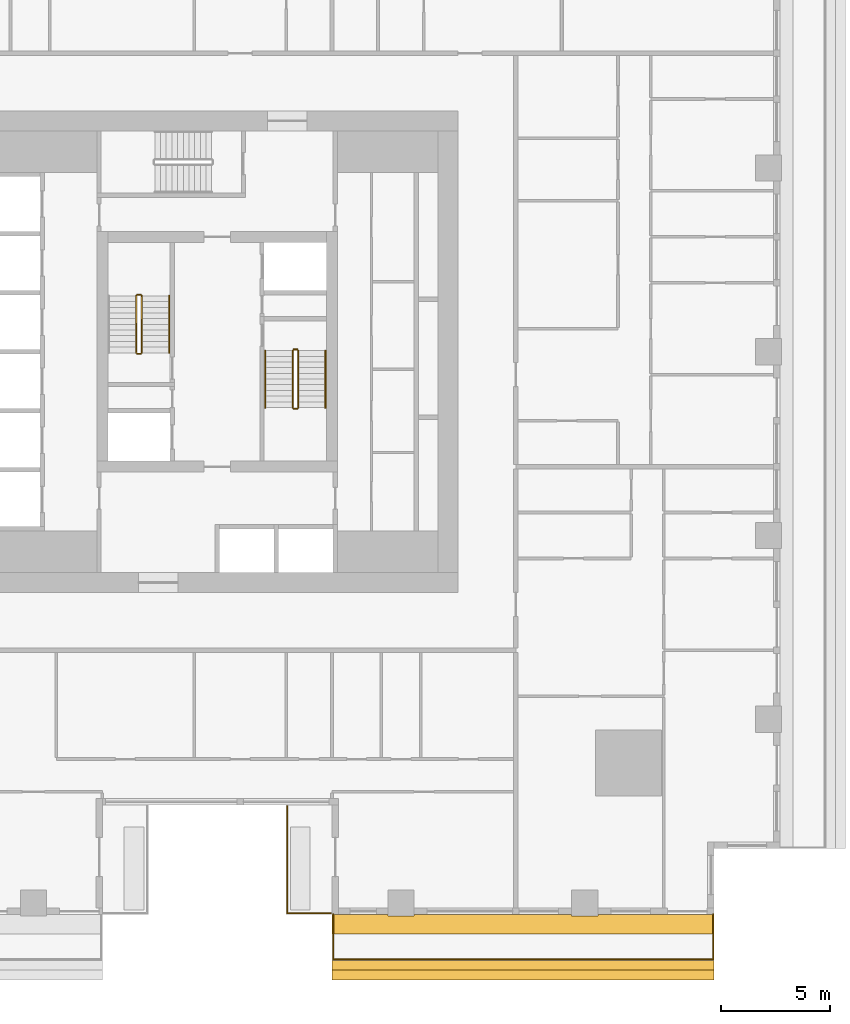
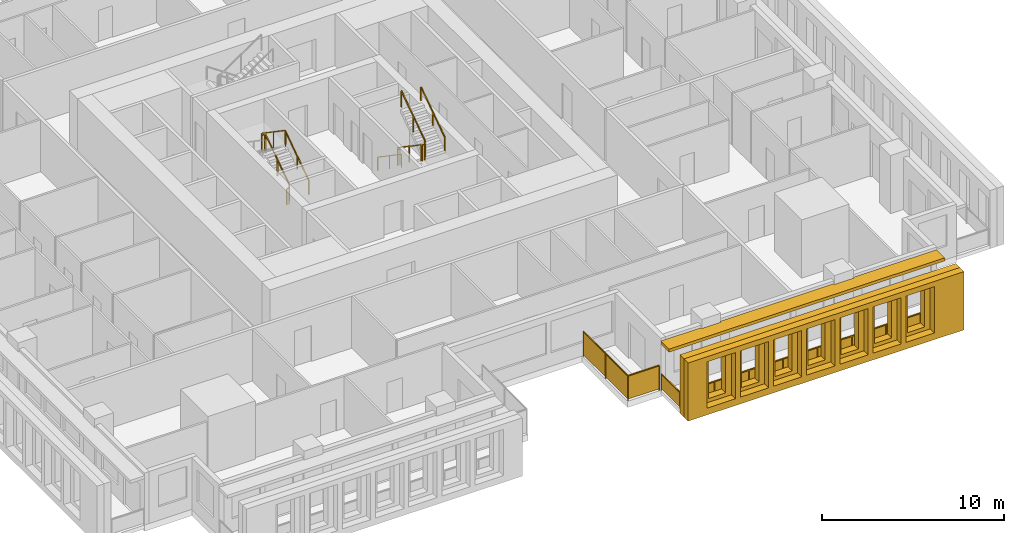
# One storey, part 12 of 15: 13 railings, 3 shading devices.
"""IFC4 building model written with IfcOpenShell, lengths in metres."""

from ifc_helpers import new_model, si_unit, direction, frame, origin, origin_2d, place, context, subcontext, project, spatial, polyline, rectangle, outline, extrude, material, layer, layer_set, type_object, element, save


model = new_model("IFC4")

# Units and contexts
model_context = context("Model", 3, precision=1e-05, world=origin(), true_north=direction((0.0, 1.0)))
body_context = subcontext(model_context, "Body", "Model", "MODEL_VIEW")
ifc_project = project(units=[si_unit("LENGTHUNIT", "METRE"), si_unit("AREAUNIT", "SQUARE_METRE"), si_unit("VOLUMEUNIT", "CUBIC_METRE"), si_unit("PLANEANGLEUNIT", "RADIAN"), si_unit("MASSUNIT", "GRAM", prefix="KILO")], contexts=[model_context])

# Site, building, storey
site_placement = place(None, origin())
site = spatial("IfcSite", under=ifc_project, at=site_placement, CompositionType="ELEMENT")
building_placement = place(site_placement, origin())
building = spatial("IfcBuilding", under=site, at=building_placement, Name="Khepri Terraces", CompositionType="ELEMENT")
storey_placement = place(building_placement, frame((0.0, 0.0, 34.800048828125)))
storey = spatial("IfcBuildingStorey", under=building, at=storey_placement, Name="L07", CompositionType="ELEMENT", Elevation=34.800048828125)

# Railings
ifc_material_1 = material(Name="Stainless steel grade 316", Category="steel")
railing_type_1 = type_object("IfcRailingType", Name="GRD-BAL-1100", PredefinedType="GUARDRAIL", material=ifc_material_1)
railing_1_placement = place(storey_placement, frame((5.300048828125, -25.719970703125, 0.0)))
element("IfcRailing", 1, at=railing_1_placement, inside=storey, type_object=railing_type_1, Name="Balcony guard L07 S", PredefinedType="GUARDRAIL", context=body_context, shape_type="SweptSolid", body=[
    extrude(rectangle(XDim=0.050048828125, YDim=0.06005859375, at=origin_2d()), frame((0.0, 0.0, 1.070068359375), z_axis=(0.0, -1.0, 0.0), x_axis=(1.0, 0.0, 0.0)), (0.0, 0.0, 1.0), 2.050048828125),
    extrude(rectangle(XDim=2.0, YDim=0.011962890625, at=origin_2d()), frame((0.0, -1.02490234375, 0.10009765625), z_axis=(0.0, 0.0, 1.0), x_axis=(0.0, -1.0, 0.0)), (0.0, 0.0, 1.0), 0.93994140625),
    extrude(rectangle(XDim=0.050048828125, YDim=0.06005859375, at=origin_2d()), frame((0.0, -2.050048828125, 1.070068359375), z_axis=(1.0, 0.0, 0.0), x_axis=(0.0, 1.0, 0.0)), (0.0, 0.0, 1.0), 17.369873046875),
    extrude(rectangle(XDim=2.12109375, YDim=0.011962890625, at=origin_2d()), frame((1.085693359375, -2.050048828125, 0.10009765625), z_axis=(0.0, 0.0, 1.0), x_axis=(1.0, 0.0, 0.0)), (0.0, 0.0, 1.0), 0.93994140625),
    extrude(rectangle(XDim=2.12109375, YDim=0.011962890625, at=origin_2d()), frame((3.2568359375, -2.050048828125, 0.10009765625), z_axis=(0.0, 0.0, 1.0), x_axis=(1.0, 0.0, 0.0)), (0.0, 0.0, 1.0), 0.93994140625),
    extrude(rectangle(XDim=2.12109375, YDim=0.011962890625, at=origin_2d()), frame((5.427978515625, -2.050048828125, 0.10009765625), z_axis=(0.0, 0.0, 1.0), x_axis=(1.0, 0.0, 0.0)), (0.0, 0.0, 1.0), 0.93994140625),
    extrude(rectangle(XDim=2.12109375, YDim=0.011962890625, at=origin_2d()), frame((7.599365234375, -2.050048828125, 0.10009765625), z_axis=(0.0, 0.0, 1.0), x_axis=(1.0, 0.0, 0.0)), (0.0, 0.0, 1.0), 0.93994140625),
    extrude(rectangle(XDim=2.12109375, YDim=0.011962890625, at=origin_2d()), frame((9.7705078125, -2.050048828125, 0.10009765625), z_axis=(0.0, 0.0, 1.0), x_axis=(1.0, 0.0, 0.0)), (0.0, 0.0, 1.0), 0.93994140625),
    extrude(rectangle(XDim=2.12109375, YDim=0.011962890625, at=origin_2d()), frame((11.94189453125, -2.050048828125, 0.10009765625), z_axis=(0.0, 0.0, 1.0), x_axis=(1.0, 0.0, 0.0)), (0.0, 0.0, 1.0), 0.93994140625),
    extrude(rectangle(XDim=2.12109375, YDim=0.011962890625, at=origin_2d()), frame((14.113037109375, -2.050048828125, 0.10009765625), z_axis=(0.0, 0.0, 1.0), x_axis=(1.0, 0.0, 0.0)), (0.0, 0.0, 1.0), 0.93994140625),
    extrude(rectangle(XDim=2.12109375, YDim=0.011962890625, at=origin_2d()), frame((16.2841796875, -2.050048828125, 0.10009765625), z_axis=(0.0, 0.0, 1.0), x_axis=(1.0, 0.0, 0.0)), (0.0, 0.0, 1.0), 0.93994140625),
    extrude(rectangle(XDim=0.050048828125, YDim=0.06005859375, at=origin_2d()), frame((17.369873046875, -2.050048828125, 1.070068359375), z_axis=(0.0, 1.0, 0.0), x_axis=(-1.0, 0.0, 0.0)), (0.0, 0.0, 1.0), 2.050048828125),
    extrude(rectangle(XDim=2.0, YDim=0.011962890625, at=origin_2d()), frame((17.369873046875, -1.02490234375, 0.10009765625), z_axis=(0.0, 0.0, 1.0), x_axis=(0.0, 1.0, 0.0)), (0.0, 0.0, 1.0), 0.93994140625),
    extrude(rectangle(XDim=0.050048828125, YDim=0.050048828125, at=origin_2d()), origin(), (0.0, 0.0, 1.0), 1.0400390625),
    extrude(rectangle(XDim=0.050048828125, YDim=0.050048828125, at=origin_2d()), frame((0.0, -2.050048828125, 0.0)), (0.0, 0.0, 1.0), 1.0400390625),
    extrude(rectangle(XDim=0.050048828125, YDim=0.050048828125, at=origin_2d()), frame((2.171142578125, -2.050048828125, 0.0)), (0.0, 0.0, 1.0), 1.0400390625),
    extrude(rectangle(XDim=0.050048828125, YDim=0.050048828125, at=origin_2d()), frame((4.342529296875, -2.050048828125, 0.0)), (0.0, 0.0, 1.0), 1.0400390625),
    extrude(rectangle(XDim=0.050048828125, YDim=0.050048828125, at=origin_2d()), frame((6.513671875, -2.050048828125, 0.0)), (0.0, 0.0, 1.0), 1.0400390625),
    extrude(rectangle(XDim=0.050048828125, YDim=0.050048828125, at=origin_2d()), frame((8.68505859375, -2.050048828125, 0.0)), (0.0, 0.0, 1.0), 1.0400390625),
    extrude(rectangle(XDim=0.050048828125, YDim=0.050048828125, at=origin_2d()), frame((10.856201171875, -2.050048828125, 0.0)), (0.0, 0.0, 1.0), 1.0400390625),
    extrude(rectangle(XDim=0.050048828125, YDim=0.050048828125, at=origin_2d()), frame((13.02734375, -2.050048828125, 0.0)), (0.0, 0.0, 1.0), 1.0400390625),
    extrude(rectangle(XDim=0.050048828125, YDim=0.050048828125, at=origin_2d()), frame((15.19873046875, -2.050048828125, 0.0)), (0.0, 0.0, 1.0), 1.0400390625),
    extrude(rectangle(XDim=0.050048828125, YDim=0.050048828125, at=origin_2d()), frame((17.369873046875, -2.050048828125, 0.0)), (0.0, 0.0, 1.0), 1.0400390625),
    extrude(rectangle(XDim=0.050048828125, YDim=0.050048828125, at=origin_2d()), frame((17.369873046875, 0.0, 0.0)), (0.0, 0.0, 1.0), 1.0400390625),
])
railing_type_2 = type_object("IfcRailingType", Name="GRD-TERR-1700", PredefinedType="GUARDRAIL", material=ifc_material_1)
railing_2_placement = place(storey_placement, frame((5.179931640625, -25.669921875, 0.0)))
element("IfcRailing", 2, at=railing_2_placement, inside=storey, type_object=railing_type_2, Name="Terrace guard L07", PredefinedType="GUARDRAIL", context=body_context, shape_type="SweptSolid", body=[
    extrude(rectangle(XDim=0.050048828125, YDim=0.06005859375, at=origin_2d()), frame((0.0, 0.0, 1.669921875), z_axis=(-1.0, 0.0, 0.0), x_axis=(0.0, -1.0, 0.0)), (0.0, 0.0, 1.0), 1.97998046875),
    extrude(rectangle(XDim=1.929931640625, YDim=0.011962890625, at=origin_2d()), frame((-0.989990234375, 0.0, 0.10009765625), z_axis=(0.0, 0.0, 1.0), x_axis=(-1.0, 0.0, 0.0)), (0.0, 0.0, 1.0), 1.539794921875),
    extrude(rectangle(XDim=0.050048828125, YDim=0.06005859375, at=origin_2d()), frame((-1.97998046875, 0.0, 1.669921875), z_axis=(0.0, 1.0, 0.0), x_axis=(-1.0, 0.0, 0.0)), (0.0, 0.0, 1.0), 4.8798828125),
    extrude(rectangle(XDim=2.389892578125, YDim=0.011962890625, at=origin_2d()), frame((-1.97998046875, 1.219970703125, 0.10009765625), z_axis=(0.0, 0.0, 1.0), x_axis=(0.0, 1.0, 0.0)), (0.0, 0.0, 1.0), 1.539794921875),
    extrude(rectangle(XDim=2.389892578125, YDim=0.011962890625, at=origin_2d()), frame((-1.97998046875, 3.659912109375, 0.10009765625), z_axis=(0.0, 0.0, 1.0), x_axis=(0.0, 1.0, 0.0)), (0.0, 0.0, 1.0), 1.539794921875),
    extrude(rectangle(XDim=0.050048828125, YDim=0.050048828125, at=origin_2d()), origin(), (0.0, 0.0, 1.0), 1.639892578125),
    extrude(rectangle(XDim=0.050048828125, YDim=0.050048828125, at=origin_2d()), frame((-1.97998046875, 0.0, 0.0)), (0.0, 0.0, 1.0), 1.639892578125),
    extrude(rectangle(XDim=0.050048828125, YDim=0.050048828125, at=origin_2d()), frame((-1.97998046875, 2.43994140625, 0.0)), (0.0, 0.0, 1.0), 1.639892578125),
    extrude(rectangle(XDim=0.050048828125, YDim=0.050048828125, at=origin_2d()), frame((-1.97998046875, 4.8798828125, 0.0)), (0.0, 0.0, 1.0), 1.639892578125),
])
ifc_material_2 = material(Name="Stainless steel 316", Category="steel")
railing_type_3 = type_object("IfcRailingType", Name="RL-CORE-GUARD", PredefinedType="GUARDRAIL", material=ifc_material_2)
railing_3_placement = place(storey_placement, frame((-3.449951171875, -0.050048828125, 0.17724609375)))
element("IfcRailing", 3, at=railing_3_placement, inside=storey, type_object=railing_type_3, Name="L07 ST-1 stair guard 1", PredefinedType="GUARDRAIL", context=body_context, shape_type="SweptSolid", body=[
    extrude(rectangle(XDim=0.050048828125, YDim=0.06005859375, at=origin_2d()), frame((0.0, 0.0, 1.070068359375), z_axis=(0.0, 0.826240473404, 0.563317565952), x_axis=(-1.0, 0.0, 0.0)), (0.0, 0.0, 1.0), 3.14697265625),
    extrude(rectangle(XDim=0.050048828125, YDim=0.050048828125, at=origin_2d()), origin(), (0.0, 0.0, 1.0), 1.0400390625),
    extrude(rectangle(XDim=0.050048828125, YDim=0.050048828125, at=origin_2d()), frame((0.0, 1.300048828125, 0.88623046875)), (0.0, 0.0, 1.0), 1.0400390625),
    extrude(rectangle(XDim=0.050048828125, YDim=0.050048828125, at=origin_2d()), frame((0.0, 2.60009765625, 1.772705078125)), (0.0, 0.0, 1.0), 1.0400390625),
])
railing_4_placement = place(storey_placement, frame((-3.5, 2.60009765625, 1.949951171875)))
element("IfcRailing", 4, at=railing_4_placement, inside=storey, type_object=railing_type_3, Name="L07 ST-1 stair guard 2", PredefinedType="GUARDRAIL", context=body_context, shape_type="SweptSolid", body=[
    extrude(rectangle(XDim=0.050048828125, YDim=0.06005859375, at=origin_2d()), frame((0.0, 0.0, 1.070068359375), z_axis=(-1.0, 0.0, 0.0), x_axis=(0.0, -1.0, 0.0)), (0.0, 0.0, 1.0), 0.14990234375),
    extrude(rectangle(XDim=0.050048828125, YDim=0.050048828125, at=origin_2d()), origin(), (0.0, 0.0, 1.0), 1.0400390625),
    extrude(rectangle(XDim=0.050048828125, YDim=0.050048828125, at=origin_2d()), frame((-0.14990234375, 0.0, 0.0)), (0.0, 0.0, 1.0), 1.0400390625),
])
railing_5_placement = place(storey_placement, frame((-3.699951171875, 2.550048828125, 2.127197265625)))
element("IfcRailing", 5, at=railing_5_placement, inside=storey, type_object=railing_type_3, Name="L07 ST-1 stair guard 3", PredefinedType="GUARDRAIL", context=body_context, shape_type="SweptSolid", body=[
    extrude(rectangle(XDim=0.050048828125, YDim=0.06005859375, at=origin_2d()), frame((0.0, 0.0, 1.070068359375), z_axis=(0.0, -0.826240473404, 0.563317565952), x_axis=(1.0, 0.0, 0.0)), (0.0, 0.0, 1.0), 3.14697265625),
    extrude(rectangle(XDim=0.050048828125, YDim=0.050048828125, at=origin_2d()), origin(), (0.0, 0.0, 1.0), 1.0400390625),
    extrude(rectangle(XDim=0.050048828125, YDim=0.050048828125, at=origin_2d()), frame((0.0, -1.300048828125, 0.88623046875)), (0.0, 0.0, 1.0), 1.0400390625),
    extrude(rectangle(XDim=0.050048828125, YDim=0.050048828125, at=origin_2d()), frame((0.0, -2.60009765625, 1.772705078125)), (0.0, 0.0, 1.0), 1.0400390625),
])
railing_6_placement = place(storey_placement, frame((-3.5, -0.10009765625, 0.0)))
element("IfcRailing", 6, at=railing_6_placement, inside=storey, type_object=railing_type_3, Name="L07 ST-1 stair guard 4", PredefinedType="GUARDRAIL", context=body_context, shape_type="SweptSolid", body=[
    extrude(rectangle(XDim=0.050048828125, YDim=0.06005859375, at=origin_2d()), frame((0.0, 0.0, 1.070068359375), z_axis=(-1.0, 0.0, 0.0), x_axis=(0.0, -1.0, 0.0)), (0.0, 0.0, 1.0), 0.14990234375),
    extrude(rectangle(XDim=0.050048828125, YDim=0.050048828125, at=origin_2d()), origin(), (0.0, 0.0, 1.0), 1.0400390625),
    extrude(rectangle(XDim=0.050048828125, YDim=0.050048828125, at=origin_2d()), frame((-0.14990234375, 0.0, 0.0)), (0.0, 0.0, 1.0), 1.0400390625),
])
railing_7_placement = place(storey_placement, frame((3.449951171875, 0.050048828125, 0.17724609375)))
element("IfcRailing", 7, at=railing_7_placement, inside=storey, type_object=railing_type_3, Name="L07 ST-2 stair guard 1", PredefinedType="GUARDRAIL", context=body_context, shape_type="SweptSolid", body=[
    extrude(rectangle(XDim=0.050048828125, YDim=0.06005859375, at=origin_2d()), frame((0.0, 0.0, 1.070068359375), z_axis=(0.0, -0.826240473404, 0.563317565952), x_axis=(1.0, 0.0, 0.0)), (0.0, 0.0, 1.0), 3.14697265625),
    extrude(rectangle(XDim=0.050048828125, YDim=0.050048828125, at=origin_2d()), origin(), (0.0, 0.0, 1.0), 1.0400390625),
    extrude(rectangle(XDim=0.050048828125, YDim=0.050048828125, at=origin_2d()), frame((0.0, -1.300048828125, 0.88623046875)), (0.0, 0.0, 1.0), 1.0400390625),
    extrude(rectangle(XDim=0.050048828125, YDim=0.050048828125, at=origin_2d()), frame((0.0, -2.60009765625, 1.772705078125)), (0.0, 0.0, 1.0), 1.0400390625),
])
railing_8_placement = place(storey_placement, frame((3.5, -2.60009765625, 1.949951171875)))
element("IfcRailing", 8, at=railing_8_placement, inside=storey, type_object=railing_type_3, Name="L07 ST-2 stair guard 2", PredefinedType="GUARDRAIL", context=body_context, shape_type="SweptSolid", body=[
    extrude(rectangle(XDim=0.050048828125, YDim=0.06005859375, at=origin_2d()), frame((0.0, 0.0, 1.070068359375), z_axis=(1.0, 0.0, 0.0), x_axis=(0.0, 1.0, 0.0)), (0.0, 0.0, 1.0), 0.14990234375),
    extrude(rectangle(XDim=0.050048828125, YDim=0.050048828125, at=origin_2d()), origin(), (0.0, 0.0, 1.0), 1.0400390625),
    extrude(rectangle(XDim=0.050048828125, YDim=0.050048828125, at=origin_2d()), frame((0.14990234375, 0.0, 0.0)), (0.0, 0.0, 1.0), 1.0400390625),
])
railing_9_placement = place(storey_placement, frame((3.699951171875, -2.550048828125, 2.127197265625)))
element("IfcRailing", 9, at=railing_9_placement, inside=storey, type_object=railing_type_3, Name="L07 ST-2 stair guard 3", PredefinedType="GUARDRAIL", context=body_context, shape_type="SweptSolid", body=[
    extrude(rectangle(XDim=0.050048828125, YDim=0.06005859375, at=origin_2d()), frame((0.0, 0.0, 1.070068359375), z_axis=(0.0, 0.826240473404, 0.563317565952), x_axis=(-1.0, 0.0, 0.0)), (0.0, 0.0, 1.0), 3.14697265625),
    extrude(rectangle(XDim=0.050048828125, YDim=0.050048828125, at=origin_2d()), origin(), (0.0, 0.0, 1.0), 1.0400390625),
    extrude(rectangle(XDim=0.050048828125, YDim=0.050048828125, at=origin_2d()), frame((0.0, 1.300048828125, 0.88623046875)), (0.0, 0.0, 1.0), 1.0400390625),
    extrude(rectangle(XDim=0.050048828125, YDim=0.050048828125, at=origin_2d()), frame((0.0, 2.60009765625, 1.772705078125)), (0.0, 0.0, 1.0), 1.0400390625),
])
railing_10_placement = place(storey_placement, frame((3.5, 0.10009765625, 0.0)))
element("IfcRailing", 10, at=railing_10_placement, inside=storey, type_object=railing_type_3, Name="L07 ST-2 stair guard 4", PredefinedType="GUARDRAIL", context=body_context, shape_type="SweptSolid", body=[
    extrude(rectangle(XDim=0.050048828125, YDim=0.06005859375, at=origin_2d()), frame((0.0, 0.0, 1.070068359375), z_axis=(1.0, 0.0, 0.0), x_axis=(0.0, 1.0, 0.0)), (0.0, 0.0, 1.0), 0.14990234375),
    extrude(rectangle(XDim=0.050048828125, YDim=0.050048828125, at=origin_2d()), origin(), (0.0, 0.0, 1.0), 1.0400390625),
    extrude(rectangle(XDim=0.050048828125, YDim=0.050048828125, at=origin_2d()), frame((0.14990234375, 0.0, 0.0)), (0.0, 0.0, 1.0), 1.0400390625),
])
railing_type_4 = type_object("IfcRailingType", Name="RL-CORE-HANDRAIL", PredefinedType="HANDRAIL", material=ifc_material_2)
railing_11_placement = place(storey_placement, frame((-2.199951171875, -0.050048828125, 0.17724609375)))
element("IfcRailing", 11, at=railing_11_placement, inside=storey, type_object=railing_type_4, Name="L07 ST-1 stair handrail 1", PredefinedType="HANDRAIL", context=body_context, shape_type="SweptSolid", body=[
    extrude(rectangle(XDim=0.050048828125, YDim=0.050048828125, at=origin_2d()), frame((0.0, 0.0, 0.875), z_axis=(0.0, 0.826240473404, 0.563317565952), x_axis=(-1.0, 0.0, 0.0)), (0.0, 0.0, 1.0), 3.14697265625),
    extrude(rectangle(XDim=0.050048828125, YDim=0.050048828125, at=origin_2d()), origin(), (0.0, 0.0, 1.0), 0.849853515625),
    extrude(rectangle(XDim=0.050048828125, YDim=0.050048828125, at=origin_2d()), frame((0.0, 1.300048828125, 0.88623046875)), (0.0, 0.0, 1.0), 0.849853515625),
    extrude(rectangle(XDim=0.050048828125, YDim=0.050048828125, at=origin_2d()), frame((0.0, 2.60009765625, 1.772705078125)), (0.0, 0.0, 1.0), 0.849853515625),
])
railing_12_placement = place(storey_placement, frame((2.199951171875, 0.050048828125, 0.17724609375)))
element("IfcRailing", 12, at=railing_12_placement, inside=storey, type_object=railing_type_4, Name="L07 ST-2 stair handrail 1", PredefinedType="HANDRAIL", context=body_context, shape_type="SweptSolid", body=[
    extrude(rectangle(XDim=0.050048828125, YDim=0.050048828125, at=origin_2d()), frame((0.0, 0.0, 0.875), z_axis=(0.0, -0.826240473404, 0.563317565952), x_axis=(1.0, 0.0, 0.0)), (0.0, 0.0, 1.0), 3.14697265625),
    extrude(rectangle(XDim=0.050048828125, YDim=0.050048828125, at=origin_2d()), origin(), (0.0, 0.0, 1.0), 0.849853515625),
    extrude(rectangle(XDim=0.050048828125, YDim=0.050048828125, at=origin_2d()), frame((0.0, -1.300048828125, 0.88623046875)), (0.0, 0.0, 1.0), 0.849853515625),
    extrude(rectangle(XDim=0.050048828125, YDim=0.050048828125, at=origin_2d()), frame((0.0, -2.60009765625, 1.772705078125)), (0.0, 0.0, 1.0), 0.849853515625),
])
railing_13_placement = place(storey_placement, frame((4.949951171875, -2.550048828125, 2.127197265625)))
element("IfcRailing", 13, at=railing_13_placement, inside=storey, type_object=railing_type_4, Name="L07 ST-2 stair handrail 2", PredefinedType="HANDRAIL", context=body_context, shape_type="SweptSolid", body=[
    extrude(rectangle(XDim=0.050048828125, YDim=0.050048828125, at=origin_2d()), frame((0.0, 0.0, 0.875), z_axis=(0.0, 0.826240473404, 0.563317565952), x_axis=(-1.0, 0.0, 0.0)), (0.0, 0.0, 1.0), 3.14697265625),
    extrude(rectangle(XDim=0.050048828125, YDim=0.050048828125, at=origin_2d()), origin(), (0.0, 0.0, 1.0), 0.849853515625),
    extrude(rectangle(XDim=0.050048828125, YDim=0.050048828125, at=origin_2d()), frame((0.0, 1.300048828125, 0.88623046875)), (0.0, 0.0, 1.0), 0.849853515625),
    extrude(rectangle(XDim=0.050048828125, YDim=0.050048828125, at=origin_2d()), frame((0.0, 2.60009765625, 1.772705078125)), (0.0, 0.0, 1.0), 0.849853515625),
])

# Shading devices
ifc_material_3 = material(Name="Precast concrete C50/60 warm stone", Category="masonry")
shading_device_type_1 = type_object("IfcShadingDeviceType", Name="SCR-CELL-INNER-450", PredefinedType="USERDEFINED", material=ifc_material_3)
shading_device_1_placement = place(storey_placement, frame((5.25, -27.820068359375, -0.25), z_axis=(0.0, -1.0, 0.0), x_axis=(1.0, 0.0, 0.0)))
element("IfcShadingDevice", 14, at=shading_device_1_placement, inside=storey, type_object=shading_device_type_1, Name="Cell screen L07 S in", ObjectType="SCREEN", PredefinedType="USERDEFINED", context=body_context, shape_type="SweptSolid", body=[
    extrude(outline(polyline([(0.0, 0.0), (17.469970703125, 0.0), (17.469970703125, 3.89990234375), (0.0, 3.89990234375), (0.0, 0.0)]), holes=[polyline([(1.556640625, 0.699951171875), (2.643310546875, 0.699951171875), (2.643310546875, 3.300048828125), (1.556640625, 3.300048828125), (1.556640625, 0.699951171875)]), polyline([(3.656494140625, 0.699951171875), (4.743408203125, 0.699951171875), (4.743408203125, 3.300048828125), (3.656494140625, 3.300048828125), (3.656494140625, 0.699951171875)]), polyline([(5.756591796875, 0.699951171875), (6.843505859375, 0.699951171875), (6.843505859375, 3.300048828125), (5.756591796875, 3.300048828125), (5.756591796875, 0.699951171875)]), polyline([(7.856689453125, 0.699951171875), (8.943359375, 0.699951171875), (8.943359375, 3.300048828125), (7.856689453125, 3.300048828125), (7.856689453125, 0.699951171875)]), polyline([(9.95654296875, 0.699951171875), (11.04345703125, 0.699951171875), (11.04345703125, 3.300048828125), (9.95654296875, 3.300048828125), (9.95654296875, 0.699951171875)]), polyline([(12.056640625, 0.699951171875), (13.143310546875, 0.699951171875), (13.143310546875, 3.300048828125), (12.056640625, 3.300048828125), (12.056640625, 0.699951171875)]), polyline([(14.156494140625, 0.699951171875), (15.243408203125, 0.699951171875), (15.243408203125, 3.300048828125), (14.156494140625, 3.300048828125), (14.156494140625, 0.699951171875)]), polyline([(16.256591796875, 0.699951171875), (17.343505859375, 0.699951171875), (17.343505859375, 3.300048828125), (16.256591796875, 3.300048828125), (16.256591796875, 0.699951171875)])]), origin(), (0.0, 0.0, 1.0), 0.449951171875),
])
shading_device_type_2 = type_object("IfcShadingDeviceType", Name="SCR-CELL-OUTER-450", PredefinedType="USERDEFINED", material=ifc_material_3)
shading_device_2_placement = place(storey_placement, frame((5.25, -28.27001953125, -0.25), z_axis=(0.0, -1.0, 0.0), x_axis=(1.0, 0.0, 0.0)))
element("IfcShadingDevice", 15, at=shading_device_2_placement, inside=storey, type_object=shading_device_type_2, Name="Cell screen L07 S out", ObjectType="SCREEN", PredefinedType="USERDEFINED", context=body_context, shape_type="SweptSolid", body=[
    extrude(outline(polyline([(0.0, 0.0), (17.469970703125, 0.0), (17.469970703125, 3.89990234375), (0.0, 3.89990234375), (0.0, 0.0)]), holes=[polyline([(1.20654296875, 0.449951171875), (2.993408203125, 0.449951171875), (2.993408203125, 3.550048828125), (1.20654296875, 3.550048828125), (1.20654296875, 0.449951171875)]), polyline([(3.306640625, 0.449951171875), (5.093505859375, 0.449951171875), (5.093505859375, 3.550048828125), (3.306640625, 3.550048828125), (3.306640625, 0.449951171875)]), polyline([(5.406494140625, 0.449951171875), (7.193359375, 0.449951171875), (7.193359375, 3.550048828125), (5.406494140625, 3.550048828125), (5.406494140625, 0.449951171875)]), polyline([(7.506591796875, 0.449951171875), (9.29345703125, 0.449951171875), (9.29345703125, 3.550048828125), (7.506591796875, 3.550048828125), (7.506591796875, 0.449951171875)]), polyline([(9.606689453125, 0.449951171875), (11.393310546875, 0.449951171875), (11.393310546875, 3.550048828125), (9.606689453125, 3.550048828125), (9.606689453125, 0.449951171875)]), polyline([(11.70654296875, 0.449951171875), (13.493408203125, 0.449951171875), (13.493408203125, 3.550048828125), (11.70654296875, 3.550048828125), (11.70654296875, 0.449951171875)]), polyline([(13.806640625, 0.449951171875), (15.593505859375, 0.449951171875), (15.593505859375, 3.550048828125), (13.806640625, 3.550048828125), (13.806640625, 0.449951171875)])]), origin(), (0.0, 0.0, 1.0), 0.449951171875),
])
ifc_layer = layer(ifc_material_3, 0.199951171875, Name="Precast concrete C50/60 warm stone", Category="masonry")
ifc_layer_set = layer_set([ifc_layer], Name="Precast concrete C50/60 warm stone")
shading_device_type_3 = type_object("IfcShadingDeviceType", Name="SSH-BAND-STONE-200", PredefinedType="USERDEFINED", material=ifc_layer_set)
shading_device_3_placement = place(storey_placement, frame((0.0, 0.0, 3.099853515625)))
element("IfcShadingDevice", 16, at=shading_device_3_placement, inside=storey, type_object=shading_device_type_3, Name="Sunshade band L07 S", ObjectType="SUNSHADE", PredefinedType="USERDEFINED", context=body_context, shape_type="SweptSolid", body=[
    extrude(outline(polyline([(7.800048828125, -25.719970703125), (5.25, -25.719970703125), (5.25, -26.6201171875), (22.719970703125, -26.6201171875), (22.719970703125, -25.719970703125), (17.39990234375, -25.719970703125), (17.39990234375, -25.800048828125), (16.199951171875, -25.800048828125), (16.199951171875, -25.719970703125), (9.0, -25.719970703125), (9.0, -25.800048828125), (7.800048828125, -25.800048828125), (7.800048828125, -25.719970703125)])), origin(), (0.0, 0.0, 1.0), 0.2001953125),
])

save(model, "model.ifc")
